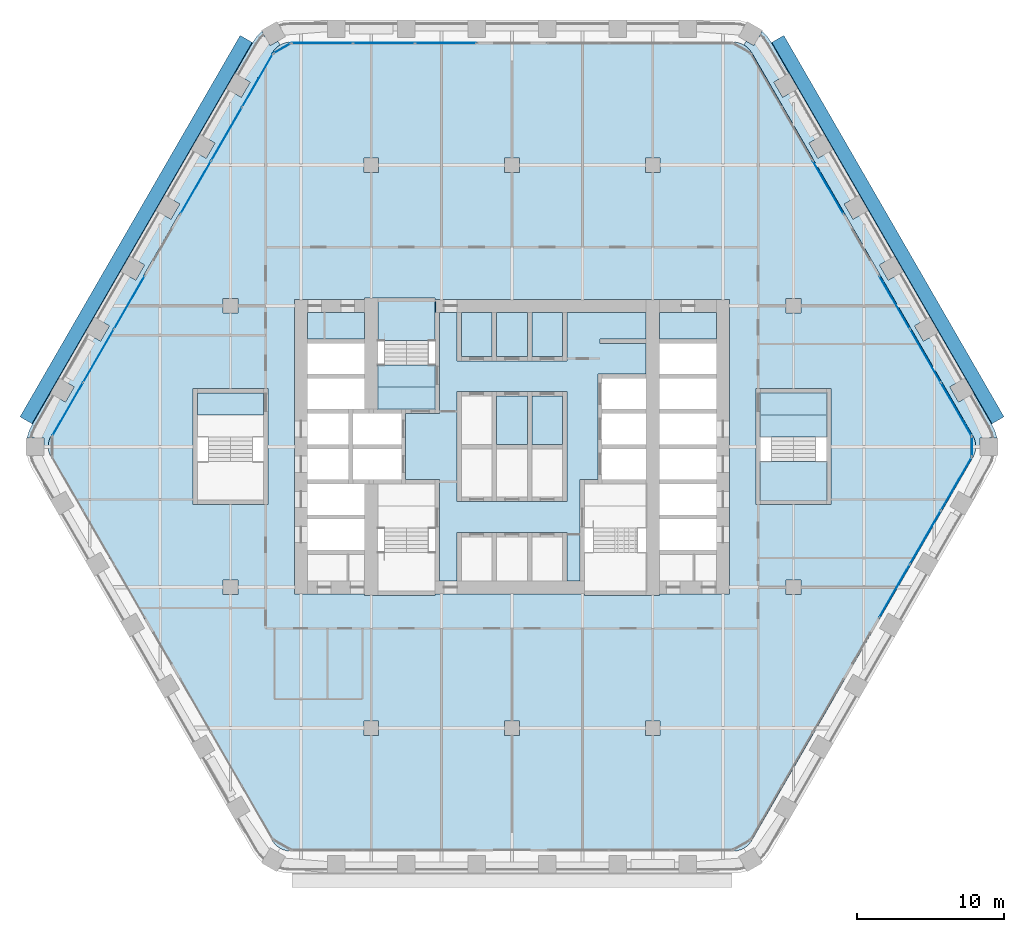
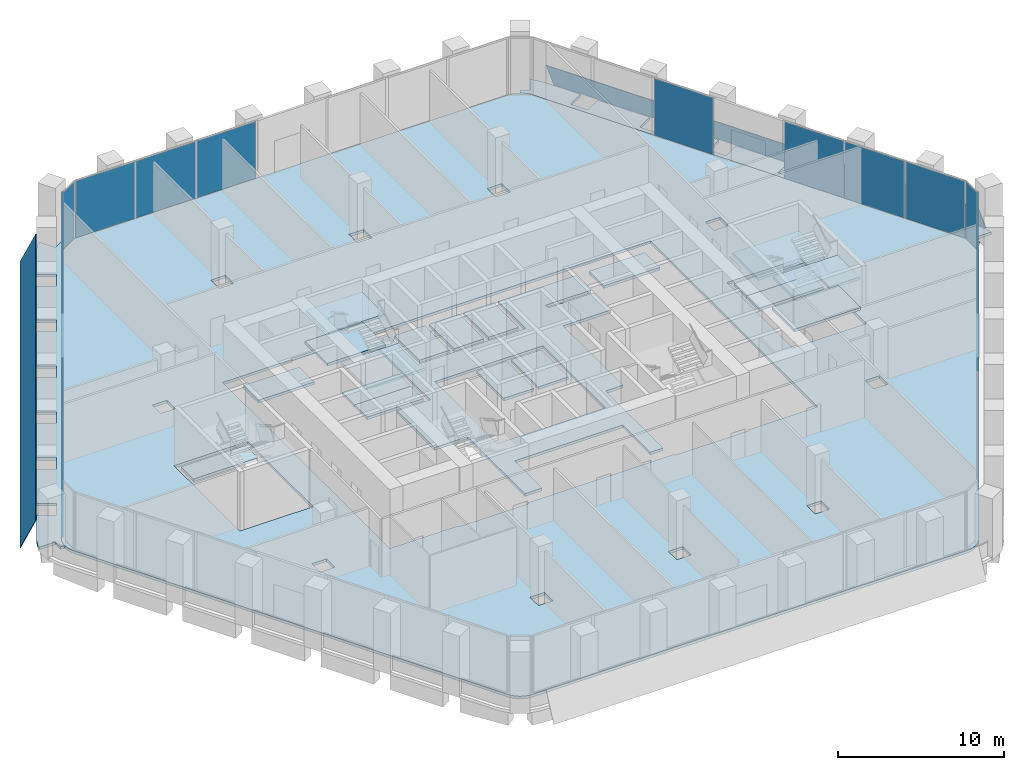
# One storey, part 11 of 22: 22 slabs, 20 plates, 10 elements without a shape of their own.
"""IFC4 building model written with IfcOpenShell, lengths in metres."""

import ifcopenshell
import ifcopenshell.guid

model = None  # the IFC model being written
_history = None  # IfcOwnerHistory: only IFC2X3 demands one
_inside = {}  # id of a spatial element -> (the spatial element, [elements in it])
_under = {}  # id of a project, library or spatial element -> (it, [spatial elements below it])
_declared = {}  # id of a project -> (the project, [libraries it declares])
_typed = {}  # id of a type object -> (the type object, [elements of that type])
_made_of = {}  # id of a material, layer set ... -> (it, [elements and type objects made of it])


def new_model(schema):
    """Start an empty IFC model of exactly this schema.

    Asked for "IFC4X3", IfcOpenShell would pick the latest addendum, in which some entities
    have other attributes; the version numbers below select the first issue.
    IFC2X3 requires an IfcOwnerHistory on every rooted entity: one is made here for all.
    """
    global model, _history
    if schema == "IFC4X3":
        model = ifcopenshell.file(schema_version=(4, 3, 0, 0))
    else:
        model = ifcopenshell.file(schema=schema)
    _inside.clear()
    _under.clear()
    _declared.clear()
    _typed.clear()
    _made_of.clear()
    _history = None
    if model.schema == "IFC2X3":
        org = make("IfcOrganization", Name="unknown")
        user = make(
            "IfcPersonAndOrganization",
            ThePerson=make("IfcPerson", FamilyName="unknown"),
            TheOrganization=org,
        )
        app = make(
            "IfcApplication",
            ApplicationDeveloper=org,
            Version="unknown",
            ApplicationFullName="unknown",
            ApplicationIdentifier="unknown",
        )
        _history = make(
            "IfcOwnerHistory",
            OwningUser=user,
            OwningApplication=app,
            ChangeAction="ADDED",
            CreationDate=0,
        )
    return model


def make(cls, **values):
    """One entity of the class cls with the attributes given. An attribute that is None is left unset."""
    return model.create_entity(
        cls, **{name: value for name, value in values.items() if value is not None}
    )


def rooted(cls, **values):
    """An entity with a GlobalId (a new one), such as an element, a storey or a relation."""
    return make(cls, GlobalId=ifcopenshell.guid.new(), OwnerHistory=_history, **values)


def si_unit(unit_type, name, prefix=None):
    """IfcSIUnit, for example si_unit("LENGTHUNIT", "METRE", prefix="MILLI")."""
    return make("IfcSIUnit", UnitType=unit_type, Prefix=prefix, Name=name)


def assignment(units):
    """IfcUnitAssignment: the units of a project."""
    return None if units is None else make("IfcUnitAssignment", Units=units)


def point(xyz):
    """IfcCartesianPoint."""
    return None if xyz is None else make("IfcCartesianPoint", Coordinates=xyz)


def direction(xyz):
    """IfcDirection."""
    return None if xyz is None else make("IfcDirection", DirectionRatios=xyz)


def frame(location, z_axis=None, x_axis=None):
    """IfcAxis2Placement3D, a coordinate frame: its origin and axes. An axis left out is left unset."""
    return make(
        "IfcAxis2Placement3D",
        Location=point(location),
        Axis=direction(z_axis),
        RefDirection=direction(x_axis),
    )


def frame_2d(location, x_axis=None):
    """IfcAxis2Placement2D, a coordinate frame in the plane: its origin and x axis."""
    return make(
        "IfcAxis2Placement2D", Location=point(location), RefDirection=direction(x_axis)
    )


def origin():
    """The frame at (0, 0, 0) with its axes left unset."""
    return frame((0.0, 0.0, 0.0))


def origin_2d():
    """The frame at (0, 0) in the plane with its x axis left unset."""
    return frame_2d((0.0, 0.0))


def place(relative_to, where):
    """IfcLocalPlacement: puts the frame where relative to a parent placement (None: the world)."""
    return make(
        "IfcLocalPlacement", PlacementRelTo=relative_to, RelativePlacement=where
    )


def context(
    kind, dimensions, precision=None, world=None, true_north=None, identifier=None
):
    """IfcGeometricRepresentationContext, for example the 3D "Model" context."""
    return make(
        "IfcGeometricRepresentationContext",
        ContextIdentifier=identifier,
        ContextType=kind,
        CoordinateSpaceDimension=dimensions,
        Precision=precision,
        WorldCoordinateSystem=world,
        TrueNorth=true_north,
    )


def subcontext(parent, identifier, kind, view, scale=None):
    """IfcGeometricRepresentationSubContext, for example "Body" below "Model"."""
    return make(
        "IfcGeometricRepresentationSubContext",
        ContextIdentifier=identifier,
        ContextType=kind,
        ParentContext=parent,
        TargetScale=scale,
        TargetView=view,
    )


def project(units=None, contexts=None):
    """IfcProject with its units and contexts."""
    return rooted(
        "IfcProject",
        Name="project",
        RepresentationContexts=contexts,
        UnitsInContext=assignment(units),
    )


def spatial(cls, under=None, at=None, **own):
    """A site, building, storey or space (cls), placed at a placement, below another one or the project."""
    s = rooted(cls, ObjectPlacement=at, **own)
    if under is not None:
        _under.setdefault(under.id(), (under, []))[1].append(s)
    return s


def polyline(points):
    """IfcPolyline through the points."""
    return make("IfcPolyline", Points=[point(p) for p in points])


def profile(cls, at=None, kind="AREA", **sizes):
    """A parametric profile (cls). Its sizes go by their IFC names, for example OverallWidth=200.0."""
    return make(cls, ProfileType=kind, Position=at, **sizes)


def rectangle(**sizes):
    """IfcRectangleProfileDef."""
    return profile("IfcRectangleProfileDef", **sizes)


def outline(outer, holes=None, kind="AREA"):
    """IfcArbitraryClosedProfileDef: a profile drawn as a closed curve; with holes, ...WithVoids."""
    if holes is None:
        return make("IfcArbitraryClosedProfileDef", ProfileType=kind, OuterCurve=outer)
    return make(
        "IfcArbitraryProfileDefWithVoids",
        ProfileType=kind,
        OuterCurve=outer,
        InnerCurves=holes,
    )


def extrude(swept, where, along, depth):
    """IfcExtrudedAreaSolid: the profile swept, set in the frame where, extruded along a direction by depth."""
    return make(
        "IfcExtrudedAreaSolid",
        SweptArea=swept,
        Position=where,
        ExtrudedDirection=direction(along),
        Depth=depth,
    )


def shape(context_of_items, identifier, shape_type, items):
    """IfcShapeRepresentation: the items that make up one representation, for example the "Body"."""
    return make(
        "IfcShapeRepresentation",
        ContextOfItems=context_of_items,
        RepresentationIdentifier=identifier,
        RepresentationType=shape_type,
        Items=items,
    )


def material(Name=None, Category=None):
    """IfcMaterial."""
    return make("IfcMaterial", Name=Name, Category=Category)


def layer(
    of_material, thickness, ventilated=None, Name=None, Category=None, Priority=None
):
    """IfcMaterialLayer: one layer of a wall or slab, of a material (None: an air gap)."""
    return make(
        "IfcMaterialLayer",
        Material=of_material,
        LayerThickness=thickness,
        IsVentilated=ventilated,
        Name=Name,
        Category=Category,
        Priority=Priority,
    )


def layer_set(layers, Name=None):
    """IfcMaterialLayerSet."""
    return make("IfcMaterialLayerSet", MaterialLayers=layers, LayerSetName=Name)


def made_of(thing, what):
    """Note that an element or type object is made of a material, layer set ...; save() writes the relation."""
    if what is not None:
        _made_of.setdefault(what.id(), (what, []))[1].append(thing)
    return thing


def type_object(cls, material=None, **own):
    """A type object (cls), such as IfcWallType, which elements share."""
    return made_of(rooted(cls, **own), material)


def element(
    cls,
    number,
    at=None,
    inside=None,
    cuts=None,
    type_object=None,
    material=None,
    context=None,
    identifier="Body",
    shape_type=None,
    held_by="IfcProductDefinitionShape",
    body=None,
    shapes=None,
    **own,
):
    """One element of the class cls, such as IfcWall. Its Tag is "e" and its number.

    at: its placement. inside: the storey or other place that contains it. cuts: it is an
    opening in that element (IfcRelVoidsElement). A single representation is given by context,
    identifier, shape_type and body (its items); several are given by shapes. held_by: the class
    of the entity that holds the representations. save() writes the other relations.
    """
    e = rooted(cls, Tag="e%d" % number, ObjectPlacement=at, **own)
    if body is not None:
        shapes = [shape(context, identifier, shape_type, body)]
    if shapes is not None:
        e.Representation = make(held_by, Representations=shapes)
    if inside is not None:
        _inside.setdefault(inside.id(), (inside, []))[1].append(e)
    if cuts is not None:
        rooted(
            "IfcRelVoidsElement", RelatingBuildingElement=cuts, RelatedOpeningElement=e
        )
    if type_object is not None:
        _typed.setdefault(type_object.id(), (type_object, []))[1].append(e)
    return made_of(e, material)


def aggregate(whole, parts):
    """IfcRelAggregates: a whole, such as a stair, and the parts it consists of."""
    return rooted("IfcRelAggregates", RelatingObject=whole, RelatedObjects=parts)


def save(model, path):
    """Write the relations noted so far, then the file.

    IfcRelAggregates (storeys below a building ...), IfcRelContainedInSpatialStructure (elements
    in a storey), IfcRelDefinesByType, IfcRelAssociatesMaterial and IfcRelDeclares: one each for
    every whole, place, type object, material and project.
    """
    for whole, parts in _under.values():
        aggregate(whole, parts)
    for where, things in _inside.values():
        rooted(
            "IfcRelContainedInSpatialStructure",
            RelatedElements=things,
            RelatingStructure=where,
        )
    for kind, things in _typed.values():
        rooted("IfcRelDefinesByType", RelatedObjects=things, RelatingType=kind)
    for what, things in _made_of.values():
        rooted("IfcRelAssociatesMaterial", RelatedObjects=things, RelatingMaterial=what)
    for by, libraries in _declared.values():
        rooted("IfcRelDeclares", RelatingContext=by, RelatedDefinitions=libraries)
    model.write(path)


model = new_model("IFC4")

# Units and contexts
model_context = context("Model", 3, precision=1e-05, world=origin(), true_north=direction((0.0, 1.0)))
body_context = subcontext(model_context, "Body", "Model", "MODEL_VIEW")
ifc_project = project(units=[si_unit("LENGTHUNIT", "METRE"), si_unit("AREAUNIT", "SQUARE_METRE"), si_unit("VOLUMEUNIT", "CUBIC_METRE"), si_unit("PLANEANGLEUNIT", "RADIAN"), si_unit("MASSUNIT", "GRAM", prefix="KILO")], contexts=[model_context])

# Site, building, storey
site_placement = place(None, origin())
site = spatial("IfcSite", under=ifc_project, at=site_placement, CompositionType="ELEMENT")
building_placement = place(site_placement, origin())
building = spatial("IfcBuilding", under=site, at=building_placement, Name="Kolab Exchange Tower", CompositionType="ELEMENT")
storey_placement = place(building_placement, frame((0.0, 0.0, 113.89990234375)))
storey = spatial("IfcBuildingStorey", under=building, at=storey_placement, Name="L22", CompositionType="ELEMENT", Elevation=113.89990234375)

# Slabs
ifc_material_1 = material(Name="Concrete C35/45", Category="concrete")
ifc_layer_1 = layer(ifc_material_1, 0.199951171875)
ifc_layer_set_1 = layer_set([ifc_layer_1], Name="Concrete C35/45")
slab_type_1 = type_object("IfcSlabType", Name="FLOOR SLAB 200", PredefinedType="FLOOR", material=ifc_layer_set_1)
slab_1_placement = place(storey_placement, frame((0.0, 0.0, -0.199951171875)))
element("IfcSlab", 1, at=slab_1_placement, inside=storey, type_object=slab_type_1, Name="slab/L22/floor/0", PredefinedType="FLOOR", context=body_context, shape_type="SweptSolid", body=[
    extrude(outline(polyline([(16.366943359375, -26.848388671875), (31.434814453125, -0.75), (31.54541015625, -0.512939453125), (31.613037109375, -0.260498046875), (31.635986328125, 0.0), (31.613037109375, 0.260498046875), (31.54541015625, 0.512939453125), (31.434814453125, 0.75), (16.366943359375, 26.848388671875), (16.217041015625, 27.062744140625), (16.0322265625, 27.24755859375), (15.81787109375, 27.3974609375), (15.5810546875, 27.508056640625), (15.328369140625, 27.57568359375), (15.06787109375, 27.598388671875), (-15.06787109375, 27.598388671875), (-15.328369140625, 27.57568359375), (-15.5810546875, 27.508056640625), (-15.81787109375, 27.3974609375), (-16.0322265625, 27.24755859375), (-16.217041015625, 27.062744140625), (-16.366943359375, 26.848388671875), (-31.434814453125, 0.75), (-31.54541015625, 0.512939453125), (-31.613037109375, 0.260498046875), (-31.635986328125, 0.0), (-31.613037109375, -0.260498046875), (-31.54541015625, -0.512939453125), (-31.434814453125, -0.75), (-16.366943359375, -26.848388671875), (-16.217041015625, -27.062744140625), (-16.0322265625, -27.24755859375), (-15.81787109375, -27.3974609375), (-15.5810546875, -27.508056640625), (-15.328369140625, -27.57568359375), (-15.06787109375, -27.598388671875), (15.06787109375, -27.598388671875), (15.328369140625, -27.57568359375), (15.5810546875, -27.508056640625), (15.81787109375, -27.3974609375), (16.0322265625, -27.24755859375), (16.217041015625, -27.062744140625), (16.366943359375, -26.848388671875)]), holes=[polyline([(-13.949951171875, -10.050048828125), (-14.85009765625, -10.050048828125), (-14.85009765625, 10.050048828125), (-13.949951171875, 10.050048828125), (-10.050048828125, 10.050048828125), (-10.050048828125, 10.14990234375), (-9.14990234375, 10.14990234375), (-5.25, 10.14990234375), (-5.25, 10.050048828125), (9.14990234375, 10.050048828125), (10.050048828125, 10.050048828125), (13.949951171875, 10.050048828125), (14.85009765625, 10.050048828125), (14.85009765625, -10.050048828125), (13.949951171875, -10.050048828125), (10.050048828125, -10.050048828125), (10.050048828125, -10.14990234375), (9.14990234375, -10.14990234375), (4.949951171875, -10.14990234375), (4.949951171875, -10.050048828125), (-5.25, -10.050048828125), (-5.25, -10.14990234375), (-9.14990234375, -10.14990234375), (-10.050048828125, -10.14990234375), (-10.050048828125, -10.050048828125), (-13.949951171875, -10.050048828125)]), polyline([(-18.699951171875, -9.10009765625), (-18.699951171875, -10.10009765625), (-19.699951171875, -10.10009765625), (-19.699951171875, -9.10009765625), (-18.699951171875, -9.10009765625)]), polyline([(-21.449951171875, -3.949951171875), (-21.75, -3.949951171875), (-21.75, 3.949951171875), (-21.449951171875, 3.949951171875), (-16.949951171875, 3.949951171875), (-16.64990234375, 3.949951171875), (-16.64990234375, -3.949951171875), (-16.949951171875, -3.949951171875), (-21.449951171875, -3.949951171875)]), polyline([(-18.699951171875, 10.10009765625), (-18.699951171875, 9.10009765625), (-19.699951171875, 9.10009765625), (-19.699951171875, 10.10009765625), (-18.699951171875, 10.10009765625)]), polyline([(-9.10009765625, -18.699951171875), (-9.10009765625, -19.699951171875), (-10.10009765625, -19.699951171875), (-10.10009765625, -18.699951171875), (-9.10009765625, -18.699951171875)]), polyline([(-9.10009765625, 19.699951171875), (-9.10009765625, 18.699951171875), (-10.10009765625, 18.699951171875), (-10.10009765625, 19.699951171875), (-9.10009765625, 19.699951171875)]), polyline([(9.10009765625, -18.699951171875), (10.10009765625, -18.699951171875), (10.10009765625, -19.699951171875), (9.10009765625, -19.699951171875), (9.10009765625, -18.699951171875)]), polyline([(-0.5, -18.699951171875), (0.5, -18.699951171875), (0.5, -19.699951171875), (-0.5, -19.699951171875), (-0.5, -18.699951171875)]), polyline([(0.5, 19.699951171875), (0.5, 18.699951171875), (-0.5, 18.699951171875), (-0.5, 19.699951171875), (0.5, 19.699951171875)]), polyline([(10.10009765625, 19.699951171875), (10.10009765625, 18.699951171875), (9.10009765625, 18.699951171875), (9.10009765625, 19.699951171875), (10.10009765625, 19.699951171875)]), polyline([(19.699951171875, -9.10009765625), (19.699951171875, -10.10009765625), (18.699951171875, -10.10009765625), (18.699951171875, -9.10009765625), (19.699951171875, -9.10009765625)]), polyline([(21.449951171875, 3.949951171875), (21.75, 3.949951171875), (21.75, -3.949951171875), (21.449951171875, -3.949951171875), (16.949951171875, -3.949951171875), (16.64990234375, -3.949951171875), (16.64990234375, 3.949951171875), (16.949951171875, 3.949951171875), (21.449951171875, 3.949951171875)]), polyline([(19.699951171875, 10.10009765625), (19.699951171875, 9.10009765625), (18.699951171875, 9.10009765625), (18.699951171875, 10.10009765625), (19.699951171875, 10.10009765625)])]), origin(), (0.0, 0.0, 1.0), 0.199951171875),
])
slab_2_placement = place(storey_placement, frame((0.0, 0.0, -0.199951171875)))
element("IfcSlab", 2, at=slab_2_placement, inside=storey, type_object=slab_type_1, Name="slab/L22/floor/1", PredefinedType="FLOOR", context=body_context, shape_type="SweptSolid", body=[
    extrude(outline(polyline([(-4.949951171875, 9.14990234375), (-4.949951171875, 2.25), (-5.25, 2.25), (-7.25, 2.25), (-7.25, -2.25), (-5.25, -2.25), (-4.949951171875, -2.25), (-4.949951171875, -9.14990234375), (-3.75, -9.14990234375), (-3.75, -5.85009765625), (-3.449951171875, -5.85009765625), (-1.35009765625, -5.85009765625), (-1.050048828125, -5.85009765625), (1.050048828125, -5.85009765625), (1.35009765625, -5.85009765625), (3.449951171875, -5.85009765625), (3.75, -5.85009765625), (3.75, -9.14990234375), (4.64990234375, -9.14990234375), (4.64990234375, -2.25), (4.949951171875, -2.25), (5.85009765625, -2.25), (5.85009765625, 4.949951171875), (6.14990234375, 4.949951171875), (9.14990234375, 4.949951171875), (9.14990234375, 7.050048828125), (6.0, 7.050048828125), (6.0, 7.35009765625), (9.14990234375, 7.35009765625), (9.14990234375, 9.14990234375), (3.75, 9.14990234375), (3.75, 5.85009765625), (3.449951171875, 5.85009765625), (1.35009765625, 5.85009765625), (1.050048828125, 5.85009765625), (-1.050048828125, 5.85009765625), (-1.35009765625, 5.85009765625), (-3.449951171875, 5.85009765625), (-3.75, 5.85009765625), (-3.75, 9.14990234375), (-4.949951171875, 9.14990234375)]), holes=[polyline([(-3.75, -3.75), (-3.75, 3.75), (-3.449951171875, 3.75), (-1.35009765625, 3.75), (-1.050048828125, 3.75), (1.050048828125, 3.75), (1.35009765625, 3.75), (3.449951171875, 3.75), (3.75, 3.75), (3.75, -3.75), (3.449951171875, -3.75), (1.35009765625, -3.75), (1.050048828125, -3.75), (-1.050048828125, -3.75), (-1.35009765625, -3.75), (-3.449951171875, -3.75), (-3.75, -3.75)])]), origin(), (0.0, 0.0, 1.0), 0.199951171875),
])
slab_3_placement = place(storey_placement, frame((0.0, 0.0, -0.199951171875)))
element("IfcSlab", 3, at=slab_3_placement, inside=storey, type_object=slab_type_1, Name="slab/L22/floor/3", PredefinedType="FLOOR", context=body_context, shape_type="SweptSolid", body=[
    extrude(outline(polyline([(-10.050048828125, 9.14990234375), (-13.949951171875, 9.14990234375), (-13.949951171875, 7.35009765625), (-10.050048828125, 7.35009765625), (-10.050048828125, 9.14990234375)])), origin(), (0.0, 0.0, 1.0), 0.199951171875),
])
slab_4_placement = place(storey_placement, frame((0.0, 0.0, -0.199951171875)))
element("IfcSlab", 4, at=slab_4_placement, inside=storey, type_object=slab_type_1, Name="slab/L22/floor/5", PredefinedType="FLOOR", context=body_context, shape_type="SweptSolid", body=[
    extrude(outline(polyline([(13.949951171875, 9.14990234375), (10.050048828125, 9.14990234375), (10.050048828125, 7.35009765625), (13.949951171875, 7.35009765625), (13.949951171875, 9.14990234375)])), origin(), (0.0, 0.0, 1.0), 0.199951171875),
])
slab_5_placement = place(storey_placement, frame((0.0, 0.0, -0.199951171875)))
element("IfcSlab", 5, at=slab_5_placement, inside=storey, type_object=slab_type_1, Name="slab/L22/floor/9", PredefinedType="FLOOR", context=body_context, shape_type="SweptSolid", body=[
    extrude(outline(polyline([(-1.050048828125, 3.449951171875), (-1.050048828125, 0.14990234375), (1.050048828125, 0.14990234375), (1.050048828125, 3.449951171875), (-1.050048828125, 3.449951171875)])), origin(), (0.0, 0.0, 1.0), 0.199951171875),
])
slab_6_placement = place(storey_placement, frame((0.0, 0.0, -0.199951171875)))
element("IfcSlab", 6, at=slab_6_placement, inside=storey, type_object=slab_type_1, Name="slab/L22/floor/11", PredefinedType="FLOOR", context=body_context, shape_type="SweptSolid", body=[
    extrude(outline(polyline([(1.35009765625, 0.14990234375), (3.449951171875, 0.14990234375), (3.449951171875, 3.449951171875), (1.35009765625, 3.449951171875), (1.35009765625, 0.14990234375)])), origin(), (0.0, 0.0, 1.0), 0.199951171875),
])
slab_7_placement = place(storey_placement, frame((0.0, 0.0, -0.199951171875)))
element("IfcSlab", 7, at=slab_7_placement, inside=storey, type_object=slab_type_1, Name="slab/L22/floor/12", PredefinedType="FLOOR", context=body_context, shape_type="SweptSolid", body=[
    extrude(outline(polyline([(-21.449951171875, 3.64990234375), (-21.449951171875, 2.14990234375), (-16.949951171875, 2.14990234375), (-16.949951171875, 3.64990234375), (-21.449951171875, 3.64990234375)])), origin(), (0.0, 0.0, 1.0), 0.199951171875),
])
slab_8_placement = place(storey_placement, frame((0.0, 0.0, -0.199951171875)))
element("IfcSlab", 8, at=slab_8_placement, inside=storey, type_object=slab_type_1, Name="slab/L22/floor/13", PredefinedType="FLOOR", context=body_context, shape_type="SweptSolid", body=[
    extrude(outline(polyline([(21.449951171875, 3.64990234375), (16.949951171875, 3.64990234375), (16.949951171875, 2.14990234375), (21.449951171875, 2.14990234375), (21.449951171875, 3.64990234375)])), origin(), (0.0, 0.0, 1.0), 0.199951171875),
])
slab_9_placement = place(storey_placement, frame((0.0, 0.0, -0.199951171875)))
element("IfcSlab", 9, at=slab_9_placement, inside=storey, type_object=slab_type_1, Name="slab/L22/floor/15", PredefinedType="FLOOR", context=body_context, shape_type="SweptSolid", body=[
    extrude(outline(polyline([(-1.35009765625, 6.14990234375), (-1.35009765625, 9.14990234375), (-3.449951171875, 9.14990234375), (-3.449951171875, 6.14990234375), (-1.35009765625, 6.14990234375)])), origin(), (0.0, 0.0, 1.0), 0.199951171875),
])
slab_10_placement = place(storey_placement, frame((0.0, 0.0, -0.199951171875)))
element("IfcSlab", 10, at=slab_10_placement, inside=storey, type_object=slab_type_1, Name="slab/L22/floor/17", PredefinedType="FLOOR", context=body_context, shape_type="SweptSolid", body=[
    extrude(outline(polyline([(-1.050048828125, 9.14990234375), (-1.050048828125, 6.14990234375), (1.050048828125, 6.14990234375), (1.050048828125, 9.14990234375), (-1.050048828125, 9.14990234375)])), origin(), (0.0, 0.0, 1.0), 0.199951171875),
])
slab_11_placement = place(storey_placement, frame((0.0, 0.0, -0.199951171875)))
element("IfcSlab", 11, at=slab_11_placement, inside=storey, type_object=slab_type_1, Name="slab/L22/floor/19", PredefinedType="FLOOR", context=body_context, shape_type="SweptSolid", body=[
    extrude(outline(polyline([(1.35009765625, 6.14990234375), (3.449951171875, 6.14990234375), (3.449951171875, 9.14990234375), (1.35009765625, 9.14990234375), (1.35009765625, 6.14990234375)])), origin(), (0.0, 0.0, 1.0), 0.199951171875),
])
slab_12_placement = place(storey_placement, frame((0.0, 0.0, -0.199951171875)))
element("IfcSlab", 12, at=slab_12_placement, inside=storey, type_object=slab_type_1, Name="slab/L22/floor/22", PredefinedType="FLOOR", context=body_context, shape_type="SweptSolid", body=[
    extrude(outline(polyline([(-5.25, 4.050048828125), (-9.14990234375, 4.050048828125), (-9.14990234375, 2.550048828125), (-7.550048828125, 2.550048828125), (-7.25, 2.550048828125), (-5.25, 2.550048828125), (-5.25, 4.050048828125)])), origin(), (0.0, 0.0, 1.0), 0.199951171875),
])
ifc_layer_2 = layer(ifc_material_1, 0.199951171875)
ifc_layer_set_2 = layer_set([ifc_layer_2], Name="Concrete C35/45")
slab_type_2 = type_object("IfcSlabType", Name="LOGGIA SLAB 200", PredefinedType="FLOOR", material=ifc_layer_set_2)
slab_13_placement = place(storey_placement, frame((0.0, 0.0, -0.199951171875)))
element("IfcSlab", 13, at=slab_13_placement, inside=storey, type_object=slab_type_2, Name="slab/L22/loggia/1-0", PredefinedType="FLOOR", context=body_context, shape_type="SweptSolid", body=[
    extrude(outline(polyline([(31.635986328125, 0.0), (31.935791015625, 0.0), (31.935791015625, 0.60009765625), (33.069091796875, 0.60009765625), (32.955078125, 1.026123046875), (32.73388671875, 1.5), (31.5, 3.63720703125), (30.460693359375, 3.037353515625), (29.86083984375, 4.076416015625), (30.89990234375, 4.676513671875), (29.10009765625, 7.794189453125), (28.060791015625, 7.1943359375), (27.460693359375, 8.2333984375), (28.5, 8.83349609375), (26.699951171875, 11.951171875), (25.660888671875, 11.35107421875), (25.060791015625, 12.390380859375), (26.10009765625, 12.990478515625), (24.300048828125, 16.108154296875), (23.2607421875, 15.508056640625), (22.660888671875, 16.54736328125), (23.699951171875, 17.147216796875), (21.89990234375, 20.264892578125), (20.86083984375, 19.6650390625), (20.2607421875, 20.704345703125), (21.300048828125, 21.30419921875), (19.5, 24.421875), (18.460693359375, 23.822021484375), (17.86083984375, 24.861083984375), (18.89990234375, 25.461181640625), (17.666015625, 27.598388671875), (17.365966796875, 28.02685546875), (17.05419921875, 28.338623046875), (16.487548828125, 27.357177734375), (15.968017578125, 27.6572265625), (15.81787109375, 27.3974609375), (16.0322265625, 27.24755859375), (16.217041015625, 27.062744140625), (16.366943359375, 26.848388671875), (31.434814453125, 0.75), (31.54541015625, 0.512939453125), (31.613037109375, 0.260498046875), (31.635986328125, 0.0)])), origin(), (0.0, 0.0, 1.0), 0.199951171875),
])
slab_14_placement = place(storey_placement, frame((0.0, 0.0, -0.199951171875)))
element("IfcSlab", 14, at=slab_14_placement, inside=storey, type_object=slab_type_2, Name="slab/L22/loggia/5-0", PredefinedType="FLOOR", context=body_context, shape_type="SweptSolid", body=[
    extrude(outline(polyline([(-15.81787109375, 27.3974609375), (-15.968017578125, 27.6572265625), (-16.487548828125, 27.357177734375), (-17.05419921875, 28.338623046875), (-17.365966796875, 28.02685546875), (-17.666015625, 27.598388671875), (-18.89990234375, 25.461181640625), (-17.86083984375, 24.861083984375), (-18.460693359375, 23.822021484375), (-19.5, 24.421875), (-21.300048828125, 21.30419921875), (-20.2607421875, 20.704345703125), (-20.86083984375, 19.6650390625), (-21.89990234375, 20.264892578125), (-23.699951171875, 17.147216796875), (-22.660888671875, 16.54736328125), (-23.2607421875, 15.508056640625), (-24.300048828125, 16.108154296875), (-26.10009765625, 12.990478515625), (-25.060791015625, 12.390380859375), (-25.660888671875, 11.35107421875), (-26.699951171875, 11.951171875), (-28.5, 8.83349609375), (-27.460693359375, 8.2333984375), (-28.060791015625, 7.1943359375), (-29.10009765625, 7.794189453125), (-30.89990234375, 4.676513671875), (-29.86083984375, 4.076416015625), (-30.460693359375, 3.037353515625), (-31.5, 3.63720703125), (-32.73388671875, 1.5), (-32.955078125, 1.026123046875), (-33.069091796875, 0.60009765625), (-31.935791015625, 0.60009765625), (-31.935791015625, 0.0), (-31.635986328125, 0.0), (-31.613037109375, 0.260498046875), (-31.54541015625, 0.512939453125), (-31.434814453125, 0.75), (-16.366943359375, 26.848388671875), (-16.217041015625, 27.062744140625), (-16.0322265625, 27.24755859375), (-15.81787109375, 27.3974609375)])), origin(), (0.0, 0.0, 1.0), 0.199951171875),
])

# Plates
ifc_material_2 = material(Name="Laminated glass, clear", Category="glass")
ifc_layer_3 = layer(ifc_material_2, 0.0400390625)
ifc_layer_set_3 = layer_set([ifc_layer_3], Name="Laminated glass, clear")
plate_type_1 = type_object("IfcPlateType", Name="OUTER SKIN LAMINATED GLASS SHEET 40", PredefinedType="SHEET", material=ifc_layer_set_3)
plate_1_placement = place(storey_placement, frame((18.540283203125, 28.04541015625, -0.73291015625), z_axis=(0.78488749746, 0.453155039209, 0.422613448403), x_axis=(0.499999167166, -0.866025884618, 2.126414e-06)))
element("IfcPlate", 15, at=plate_1_placement, inside=storey, type_object=plate_type_1, Name="Outer skin", PredefinedType="SHEET", context=body_context, shape_type="SweptSolid", body=[
    extrude(outline(polyline([(0.0, 0.0), (30.035931798469555, 0.0), (30.035821559359643, -2.2341565300489714), (-2.087711834573829e-05, -2.2342974723957343), (0.0, 0.0)])), origin(), (0.0, 0.0, -1.0), 0.0400390625),
])
plate_2_placement = place(storey_placement, frame((-33.55810546875, 2.033447265625, -0.73291015625), z_axis=(-0.78488749746, 0.453155039209, 0.422613448403), x_axis=(0.499999167166, 0.866025884618, -2.126414e-06)))
element("IfcPlate", 16, at=plate_2_placement, inside=storey, type_object=plate_type_1, Name="Outer skin", PredefinedType="SHEET", context=body_context, shape_type="SweptSolid", body=[
    extrude(outline(polyline([(0.0, 0.0), (30.035931798469555, 0.0), (30.035952675587897, -2.234297472395734), (0.00011023910991124468, -2.234156530048972), (0.0, 0.0)])), origin(), (0.0, 0.0, -1.0), 0.0400390625),
])

# Stair, slabs
ifc_material_3 = material(Name="Concrete C50/60", Category="concrete")
stair_type_1 = type_object("IfcStairType", Name="STAIR ST1 RISER 160.7", PredefinedType="DOUBLE_RETURN_STAIR", material=ifc_material_3)
stair_1_placement = place(storey_placement, origin())
stair_1 = element("IfcStair", 17, at=stair_1_placement, inside=storey, type_object=stair_type_1, Name="Stair 1", PredefinedType="DOUBLE_RETURN_STAIR")
ifc_layer_4 = layer(ifc_material_3, 0.199951171875)
ifc_layer_set_4 = layer_set([ifc_layer_4], Name="Concrete C50/60")
slab_type_3 = type_object("IfcSlabType", Name="STAIR LANDING 200", PredefinedType="LANDING", material=ifc_layer_set_4)
slab_15_placement = place(storey_placement, frame((0.0, 0.0, -0.199951171875)))
slab_15 = element("IfcSlab", 18, at=slab_15_placement, type_object=slab_type_3, Name="ST1 landing 1", PredefinedType="LANDING", context=body_context, shape_type="SweptSolid", body=[
    extrude(outline(polyline([(-9.14990234375, 4.050048828125), (-5.25, 4.050048828125), (-5.25, 5.550048828125), (-9.14990234375, 5.550048828125), (-9.14990234375, 4.050048828125)])), origin(), (0.0, 0.0, 1.0), 0.199951171875),
])
slab_16_placement = place(storey_placement, frame((0.0, 0.0, 0.925048828125)))
slab_16 = element("IfcSlab", 19, at=slab_16_placement, type_object=slab_type_3, Name="ST1 landing 2", PredefinedType="LANDING", context=body_context, shape_type="SweptSolid", body=[
    extrude(outline(polyline([(-9.2099609375, 7.22998046875), (-5.18994140625, 7.22998046875), (-5.18994140625, 9.909912109375), (-9.2099609375, 9.909912109375), (-9.2099609375, 7.22998046875)])), origin(), (0.0, 0.0, 1.0), 0.199951171875),
])
slab_17_placement = place(storey_placement, frame((0.0, 0.0, 2.050048828125)))
slab_17 = element("IfcSlab", 20, at=slab_17_placement, type_object=slab_type_3, Name="ST1 landing 3", PredefinedType="LANDING", context=body_context, shape_type="SweptSolid", body=[
    extrude(outline(polyline([(-9.2099609375, 2.489990234375), (-5.18994140625, 2.489990234375), (-5.18994140625, 5.550048828125), (-9.2099609375, 5.550048828125), (-9.2099609375, 2.489990234375)])), origin(), (0.0, 0.0, 1.0), 0.199951171875),
])
slab_18_placement = place(storey_placement, frame((0.0, 0.0, 3.175048828125)))
slab_18 = element("IfcSlab", 21, at=slab_18_placement, type_object=slab_type_3, Name="ST1 landing 4", PredefinedType="LANDING", context=body_context, shape_type="SweptSolid", body=[
    extrude(outline(polyline([(-9.14990234375, 7.22998046875), (-5.25, 7.22998046875), (-5.25, 9.909912109375), (-9.14990234375, 9.909912109375), (-9.14990234375, 7.22998046875)])), origin(), (0.0, 0.0, 1.0), 0.199951171875),
])
aggregate(stair_1, [slab_15, slab_16, slab_17, slab_18])

stair_type_2 = type_object("IfcStairType", Name="STAIR ST4 RISER 160.7", PredefinedType="DOUBLE_RETURN_STAIR", material=ifc_material_3)
stair_2_placement = place(storey_placement, origin())
stair_2 = element("IfcStair", 22, at=stair_2_placement, inside=storey, type_object=stair_type_2, Name="Stair 4", PredefinedType="DOUBLE_RETURN_STAIR")
slab_19_placement = place(storey_placement, frame((0.0, 0.0, -0.199951171875)))
slab_19 = element("IfcSlab", 23, at=slab_19_placement, type_object=slab_type_3, Name="ST4 landing 1", PredefinedType="LANDING", context=body_context, shape_type="SweptSolid", body=[
    extrude(outline(polyline([(16.949951171875, 0.64990234375), (21.449951171875, 0.64990234375), (21.449951171875, 2.14990234375), (16.949951171875, 2.14990234375), (16.949951171875, 0.64990234375)])), origin(), (0.0, 0.0, 1.0), 0.199951171875),
])
slab_20_placement = place(storey_placement, frame((0.0, 0.0, 0.925048828125)))
slab_20 = element("IfcSlab", 24, at=slab_20_placement, type_object=slab_type_3, Name="ST4 landing 2", PredefinedType="LANDING", context=body_context, shape_type="SweptSolid", body=[
    extrude(outline(polyline([(16.889892578125, -3.7099609375), (21.510009765625, -3.7099609375), (21.510009765625, -1.030029296875), (16.889892578125, -1.030029296875), (16.889892578125, -3.7099609375)])), origin(), (0.0, 0.0, 1.0), 0.199951171875),
])
slab_21_placement = place(storey_placement, frame((0.0, 0.0, 2.050048828125)))
slab_21 = element("IfcSlab", 25, at=slab_21_placement, type_object=slab_type_3, Name="ST4 landing 3", PredefinedType="LANDING", context=body_context, shape_type="SweptSolid", body=[
    extrude(outline(polyline([(16.889892578125, 0.64990234375), (21.510009765625, 0.64990234375), (21.510009765625, 3.7099609375), (16.889892578125, 3.7099609375), (16.889892578125, 0.64990234375)])), origin(), (0.0, 0.0, 1.0), 0.199951171875),
])
slab_22_placement = place(storey_placement, frame((0.0, 0.0, 3.175048828125)))
slab_22 = element("IfcSlab", 26, at=slab_22_placement, type_object=slab_type_3, Name="ST4 landing 4", PredefinedType="LANDING", context=body_context, shape_type="SweptSolid", body=[
    extrude(outline(polyline([(16.949951171875, -3.7099609375), (21.449951171875, -3.7099609375), (21.449951171875, -1.030029296875), (16.949951171875, -1.030029296875), (16.949951171875, -3.7099609375)])), origin(), (0.0, 0.0, 1.0), 0.199951171875),
])
aggregate(stair_2, [slab_19, slab_20, slab_21, slab_22])

# Curtain wall, plates
ifc_material_4 = material(Name="Aluminium EN AW-6063 T6", Category="aluminium")
curtain_wall_type = type_object("IfcCurtainWallType", Name="UNITISED LOWER MID ZONE CURTAIN WALL", PredefinedType="NOTDEFINED", material=ifc_material_4)
curtain_wall_1_placement = place(storey_placement, origin())
curtain_wall_1 = element("IfcCurtainWall", 27, at=curtain_wall_1_placement, inside=storey, type_object=curtain_wall_type, Name="cw/L22/F1-1", PredefinedType="NOTDEFINED")
ifc_material_5 = material(Name="Clear insulated glazing unit", Category="glass")
ifc_layer_5 = layer(ifc_material_5, 0.02587890625)
ifc_layer_set_5 = layer_set([ifc_layer_5], Name="Clear insulated glazing unit")
plate_type_2 = type_object("IfcPlateType", Name="UNITISED LOWER MID ZONE GLASS PANEL 26", PredefinedType="CURTAIN_PANEL", material=ifc_layer_set_5)
plate_3_placement = place(storey_placement, frame((-12.941650390625, 27.5185546875, 0.06005859375), z_axis=(0.0, 0.0, 1.0), x_axis=(1.0, 0.0, 0.0)))
plate_3 = element("IfcPlate", 28, at=plate_3_placement, type_object=plate_type_2, Name="CW2 panel 1.1", PredefinedType="CURTAIN_PANEL", context=body_context, shape_type="SweptSolid", body=[
    extrude(rectangle(XDim=4.132568359375, YDim=0.02587890625, at=origin_2d()), origin(), (0.0, 0.0, 1.0), 4.179931640625),
])
plate_4_placement = place(storey_placement, frame((-8.73388671875, 27.5185546875, 0.06005859375), z_axis=(0.0, 0.0, 1.0), x_axis=(1.0, 0.0, 0.0)))
plate_4 = element("IfcPlate", 29, at=plate_4_placement, type_object=plate_type_2, Name="CW2 panel 2.1", PredefinedType="CURTAIN_PANEL", context=body_context, shape_type="SweptSolid", body=[
    extrude(rectangle(XDim=4.16259765625, YDim=0.02587890625, at=origin_2d()), origin(), (0.0, 0.0, 1.0), 4.179931640625),
])
plate_5_placement = place(storey_placement, frame((-4.5263671875, 27.5185546875, 0.06005859375), z_axis=(0.0, 0.0, 1.0), x_axis=(1.0, 0.0, 0.0)))
plate_5 = element("IfcPlate", 30, at=plate_5_placement, type_object=plate_type_2, Name="CW2 panel 3.1", PredefinedType="CURTAIN_PANEL", context=body_context, shape_type="SweptSolid", body=[
    extrude(rectangle(XDim=4.132568359375, YDim=0.02587890625, at=origin_2d()), origin(), (0.0, 0.0, 1.0), 4.179931640625),
])
aggregate(curtain_wall_1, [plate_3, plate_4, plate_5])

# Curtain wall, plate
curtain_wall_2_placement = place(storey_placement, origin())
curtain_wall_2 = element("IfcCurtainWall", 31, at=curtain_wall_2_placement, inside=storey, type_object=curtain_wall_type, Name="cw/L22/F2-1", PredefinedType="NOTDEFINED")
plate_6_placement = place(storey_placement, frame((21.568603515625, 17.67919921875, 0.06005859375), z_axis=(0.0, 0.0, 1.0), x_axis=(0.500000017564, -0.866025393644, 0.0)))
plate_6 = element("IfcPlate", 32, at=plate_6_placement, type_object=plate_type_2, Name="CW2 panel 3.1", PredefinedType="CURTAIN_PANEL", context=body_context, shape_type="SweptSolid", body=[
    extrude(rectangle(XDim=4.132568359375, YDim=0.02587890625, at=origin_2d()), origin(), (0.0, 0.0, 1.0), 4.179931640625),
])
aggregate(curtain_wall_2, [plate_6])

# Curtain wall, plates
curtain_wall_3_placement = place(storey_placement, origin())
curtain_wall_3 = element("IfcCurtainWall", 33, at=curtain_wall_3_placement, inside=storey, type_object=curtain_wall_type, Name="cw/L22/F2-2", PredefinedType="NOTDEFINED")
plate_7_placement = place(storey_placement, frame((26.0947265625, 9.83935546875, 0.06005859375), z_axis=(0.0, 0.0, 1.0), x_axis=(0.499999958358, -0.866025427826, 0.0)))
plate_7 = element("IfcPlate", 34, at=plate_7_placement, type_object=plate_type_2, Name="CW2 panel 1.1", PredefinedType="CURTAIN_PANEL", context=body_context, shape_type="SweptSolid", body=[
    extrude(rectangle(XDim=4.132568359375, YDim=0.02587890625, at=origin_2d()), origin(), (0.0, 0.0, 1.0), 4.179931640625),
])
plate_8_placement = place(storey_placement, frame((28.19873046875, 6.1953125, 0.06005859375), z_axis=(0.0, 0.0, 1.0), x_axis=(0.499999958358, -0.866025427826, 0.0)))
plate_8 = element("IfcPlate", 35, at=plate_8_placement, type_object=plate_type_2, Name="CW2 panel 2.1", PredefinedType="CURTAIN_PANEL", context=body_context, shape_type="SweptSolid", body=[
    extrude(rectangle(XDim=4.16259765625, YDim=0.02587890625, at=origin_2d()), origin(), (0.0, 0.0, 1.0), 4.179931640625),
])
plate_9_placement = place(storey_placement, frame((30.302490234375, 2.551513671875, 0.06005859375), z_axis=(0.0, 0.0, 1.0), x_axis=(0.499999958358, -0.866025427826, 0.0)))
plate_9 = element("IfcPlate", 36, at=plate_9_placement, type_object=plate_type_2, Name="CW2 panel 3.1", PredefinedType="CURTAIN_PANEL", context=body_context, shape_type="SweptSolid", body=[
    extrude(rectangle(XDim=4.132568359375, YDim=0.02587890625, at=origin_2d()), origin(), (0.0, 0.0, 1.0), 4.179931640625),
])
aggregate(curtain_wall_3, [plate_7, plate_8, plate_9])

curtain_wall_4_placement = place(storey_placement, origin())
curtain_wall_4 = element("IfcCurtainWall", 37, at=curtain_wall_4_placement, inside=storey, type_object=curtain_wall_type, Name="cw/L22/F3-1", PredefinedType="NOTDEFINED")
plate_10_placement = place(storey_placement, frame((30.302490234375, -2.551513671875, 0.06005859375), z_axis=(0.0, 0.0, 1.0), x_axis=(-0.499999958358, -0.866025427826, 0.0)))
plate_10 = element("IfcPlate", 38, at=plate_10_placement, type_object=plate_type_2, Name="CW2 panel 1.1", PredefinedType="CURTAIN_PANEL", context=body_context, shape_type="SweptSolid", body=[
    extrude(rectangle(XDim=4.132568359375, YDim=0.02587890625, at=origin_2d()), origin(), (0.0, 0.0, 1.0), 4.179931640625),
])
plate_11_placement = place(storey_placement, frame((28.19873046875, -6.1953125, 0.06005859375), z_axis=(0.0, 0.0, 1.0), x_axis=(-0.499999958358, -0.866025427826, 0.0)))
plate_11 = element("IfcPlate", 39, at=plate_11_placement, type_object=plate_type_2, Name="CW2 panel 2.1", PredefinedType="CURTAIN_PANEL", context=body_context, shape_type="SweptSolid", body=[
    extrude(rectangle(XDim=4.16259765625, YDim=0.02587890625, at=origin_2d()), origin(), (0.0, 0.0, 1.0), 4.179931640625),
])
plate_12_placement = place(storey_placement, frame((26.0947265625, -9.83935546875, 0.06005859375), z_axis=(0.0, 0.0, 1.0), x_axis=(-0.499999958358, -0.866025427826, 0.0)))
plate_12 = element("IfcPlate", 40, at=plate_12_placement, type_object=plate_type_2, Name="CW2 panel 3.1", PredefinedType="CURTAIN_PANEL", context=body_context, shape_type="SweptSolid", body=[
    extrude(rectangle(XDim=4.132568359375, YDim=0.02587890625, at=origin_2d()), origin(), (0.0, 0.0, 1.0), 4.179931640625),
])
aggregate(curtain_wall_4, [plate_10, plate_11, plate_12])

curtain_wall_5_placement = place(storey_placement, origin())
curtain_wall_5 = element("IfcCurtainWall", 41, at=curtain_wall_5_placement, inside=storey, type_object=curtain_wall_type, Name="cw/L22/F6-1", PredefinedType="NOTDEFINED")
plate_13_placement = place(storey_placement, frame((-30.302490234375, 2.551513671875, 0.06005859375), z_axis=(0.0, 0.0, 1.0), x_axis=(0.499999958358, 0.866025427826, 0.0)))
plate_13 = element("IfcPlate", 42, at=plate_13_placement, type_object=plate_type_2, Name="CW2 panel 1.1", PredefinedType="CURTAIN_PANEL", context=body_context, shape_type="SweptSolid", body=[
    extrude(rectangle(XDim=4.132568359375, YDim=0.02587890625, at=origin_2d()), origin(), (0.0, 0.0, 1.0), 4.179931640625),
])
plate_14_placement = place(storey_placement, frame((-28.19873046875, 6.1953125, 0.06005859375), z_axis=(0.0, 0.0, 1.0), x_axis=(0.499999958358, 0.866025427826, 0.0)))
plate_14 = element("IfcPlate", 43, at=plate_14_placement, type_object=plate_type_2, Name="CW2 panel 2.1", PredefinedType="CURTAIN_PANEL", context=body_context, shape_type="SweptSolid", body=[
    extrude(rectangle(XDim=4.16259765625, YDim=0.02587890625, at=origin_2d()), origin(), (0.0, 0.0, 1.0), 4.179931640625),
])
plate_15_placement = place(storey_placement, frame((-26.0947265625, 9.83935546875, 0.06005859375), z_axis=(0.0, 0.0, 1.0), x_axis=(0.499999958358, 0.866025427826, 0.0)))
plate_15 = element("IfcPlate", 44, at=plate_15_placement, type_object=plate_type_2, Name="CW2 panel 3.1", PredefinedType="CURTAIN_PANEL", context=body_context, shape_type="SweptSolid", body=[
    extrude(rectangle(XDim=4.132568359375, YDim=0.02587890625, at=origin_2d()), origin(), (0.0, 0.0, 1.0), 4.179931640625),
])
aggregate(curtain_wall_5, [plate_13, plate_14, plate_15])

curtain_wall_6_placement = place(storey_placement, origin())
curtain_wall_6 = element("IfcCurtainWall", 45, at=curtain_wall_6_placement, inside=storey, type_object=curtain_wall_type, Name="cw/L22/F6-2", PredefinedType="NOTDEFINED")
plate_16_placement = place(storey_placement, frame((-21.568603515625, 17.67919921875, 0.06005859375), z_axis=(0.0, 0.0, 1.0), x_axis=(0.500000017564, 0.866025393644, 0.0)))
plate_16 = element("IfcPlate", 46, at=plate_16_placement, type_object=plate_type_2, Name="CW2 panel 1.1", PredefinedType="CURTAIN_PANEL", context=body_context, shape_type="SweptSolid", body=[
    extrude(rectangle(XDim=4.132568359375, YDim=0.02587890625, at=origin_2d()), origin(), (0.0, 0.0, 1.0), 4.179931640625),
])
plate_17_placement = place(storey_placement, frame((-19.464599609375, 21.322998046875, 0.06005859375), z_axis=(0.0, 0.0, 1.0), x_axis=(0.500000017564, 0.866025393644, 0.0)))
plate_17 = element("IfcPlate", 47, at=plate_17_placement, type_object=plate_type_2, Name="CW2 panel 2.1", PredefinedType="CURTAIN_PANEL", context=body_context, shape_type="SweptSolid", body=[
    extrude(rectangle(XDim=4.16259765625, YDim=0.02587890625, at=origin_2d()), origin(), (0.0, 0.0, 1.0), 4.179931640625),
])
plate_18_placement = place(storey_placement, frame((-17.36083984375, 24.967041015625, 0.06005859375), z_axis=(0.0, 0.0, 1.0), x_axis=(0.500000017564, 0.866025393644, 0.0)))
plate_18 = element("IfcPlate", 48, at=plate_18_placement, type_object=plate_type_2, Name="CW2 panel 3.1", PredefinedType="CURTAIN_PANEL", context=body_context, shape_type="SweptSolid", body=[
    extrude(rectangle(XDim=4.132568359375, YDim=0.02587890625, at=origin_2d()), origin(), (0.0, 0.0, 1.0), 4.179931640625),
])
aggregate(curtain_wall_6, [plate_16, plate_17, plate_18])

# Curtain wall, plate
curtain_wall_7_placement = place(storey_placement, origin())
curtain_wall_7 = element("IfcCurtainWall", 49, at=curtain_wall_7_placement, inside=storey, type_object=curtain_wall_type, Name="cw/L22/F2F3-corner", PredefinedType="NOTDEFINED")
plate_19_placement = place(storey_placement, frame((31.36572265625, 0.0, 0.06005859375), z_axis=(0.0, 0.0, 1.0), x_axis=(0.0, -1.0, 0.0)))
plate_19 = element("IfcPlate", 50, at=plate_19_placement, type_object=plate_type_2, Name="CW2 panel 1.1", PredefinedType="CURTAIN_PANEL", context=body_context, shape_type="SweptSolid", body=[
    extrude(rectangle(XDim=1.300048828125, YDim=0.02587890625, at=origin_2d()), origin(), (0.0, 0.0, 1.0), 4.179931640625),
])
aggregate(curtain_wall_7, [plate_19])

curtain_wall_8_placement = place(storey_placement, origin())
curtain_wall_8 = element("IfcCurtainWall", 51, at=curtain_wall_8_placement, inside=storey, type_object=curtain_wall_type, Name="cw/L22/F6F1-corner", PredefinedType="NOTDEFINED")
plate_20_placement = place(storey_placement, frame((-15.682861328125, 27.16357421875, 0.06005859375), z_axis=(0.0, 0.0, 1.0), x_axis=(0.866025390869, 0.50000002237, 0.0)))
plate_20 = element("IfcPlate", 52, at=plate_20_placement, type_object=plate_type_2, Name="CW2 panel 1.1", PredefinedType="CURTAIN_PANEL", context=body_context, shape_type="SweptSolid", body=[
    extrude(rectangle(XDim=1.300048828125, YDim=0.02587890625, at=origin_2d()), origin(), (0.0, 0.0, 1.0), 4.179931640625),
])
aggregate(curtain_wall_8, [plate_20])

save(model, "model.ifc")
